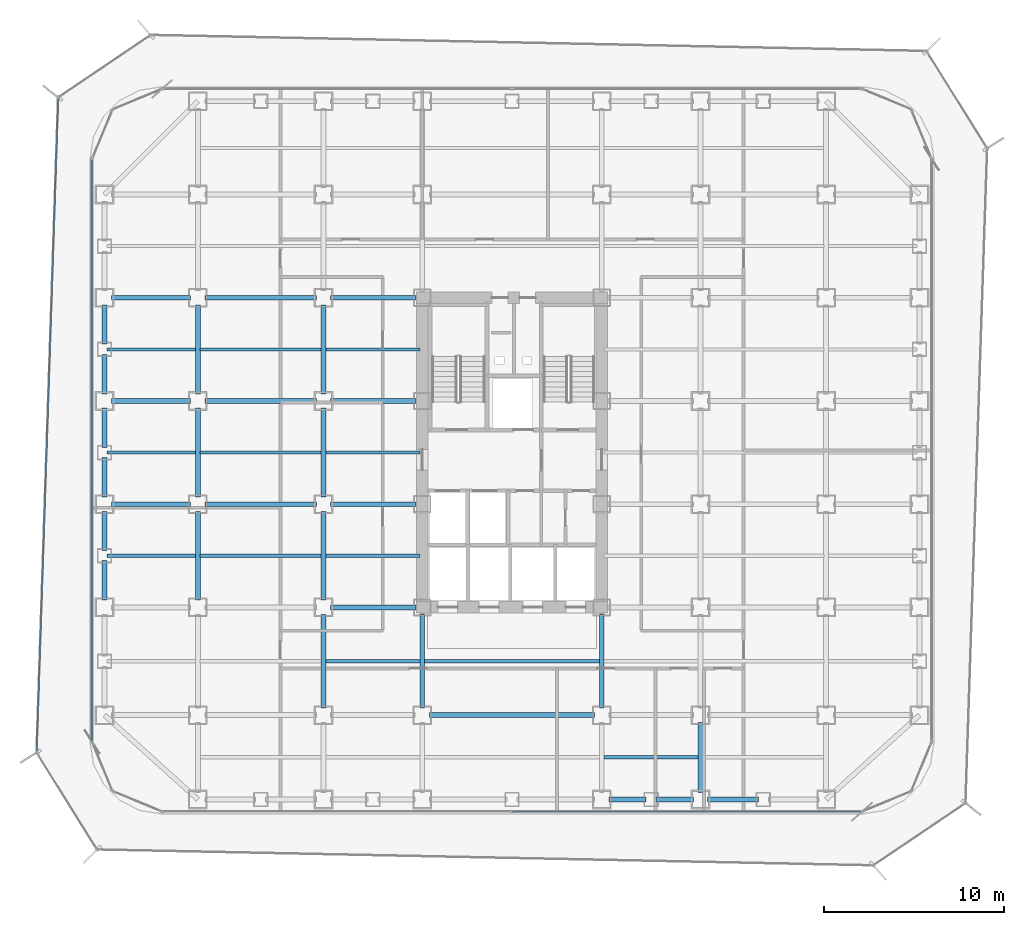
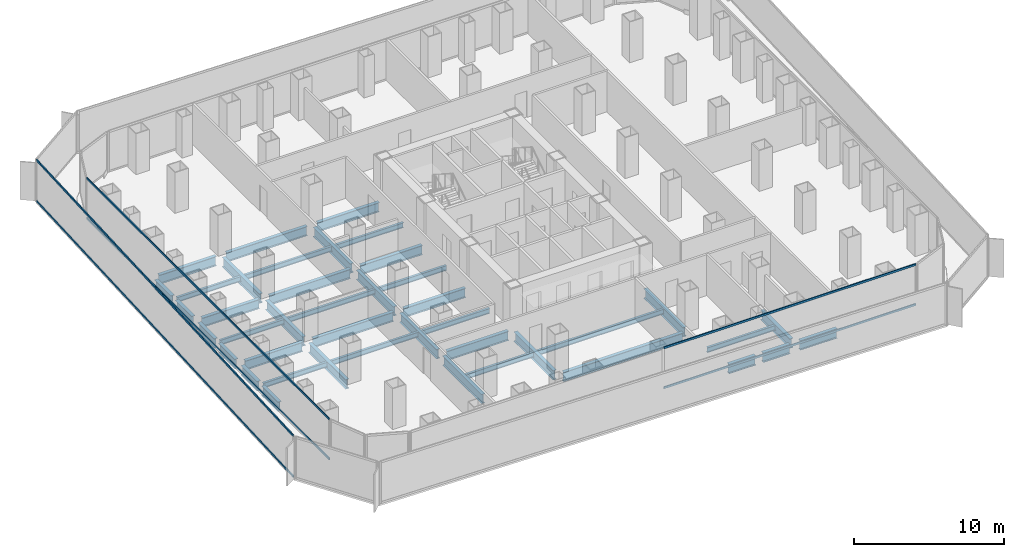
# One storey, part 5 of 21: 42 beams, 6 members, 3 elements without a shape of their own.
"""IFC4 building model written with IfcOpenShell, lengths in metres."""

from ifc_helpers import new_model, si_unit, direction, frame, origin, origin_2d, place, context, subcontext, project, spatial, hollow_rectangle, i_section, extrude, source, transform, mapped, material, layer, layer_set, material_profile, profile_set, type_object, element, aggregate, save


model = new_model("IFC4")

# Units and contexts
model_context = context("Model", 3, precision=1e-05, world=origin(), true_north=direction((0.0, 1.0)))
body_context = subcontext(model_context, "Body", "Model", "MODEL_VIEW")
ifc_project = project(units=[si_unit("LENGTHUNIT", "METRE"), si_unit("AREAUNIT", "SQUARE_METRE"), si_unit("VOLUMEUNIT", "CUBIC_METRE"), si_unit("PLANEANGLEUNIT", "RADIAN"), si_unit("MASSUNIT", "GRAM", prefix="KILO")], contexts=[model_context])

# Site, building, storey
site_placement = place(None, origin())
site = spatial("IfcSite", under=ifc_project, at=site_placement, CompositionType="ELEMENT")
building_placement = place(site_placement, origin())
building = spatial("IfcBuilding", under=site, at=building_placement, Name="Kolveth Station Tower", CompositionType="ELEMENT")
storey_placement = place(building_placement, frame((0.0, 0.0, 47.699951171875)))
storey = spatial("IfcBuildingStorey", under=building, at=storey_placement, Name="L12", CompositionType="ELEMENT", Elevation=47.699951171875)

# Beams
ifc_material_1 = material(Name="Steel S355", Category="steel")
ifc_material_profile_1 = material_profile(ifc_material_1, i_section(OverallWidth=0.26904296875, OverallDepth=0.77490234375, WebThickness=0.01708984375, FlangeThickness=0.0283203125, at=origin_2d()), Name="W760x220")
ifc_profile_set_1 = profile_set([ifc_material_profile_1], Name="Steel S355")
beam_type_1 = type_object("IfcBeamType", Name="Beam_SP1", PredefinedType="SPANDREL", material=ifc_profile_set_1)
shared_shape_1 = source(origin(), body_context, "Body", "SweptSolid", [
    extrude(i_section(OverallWidth=0.26904296875, OverallDepth=0.77490234375, WebThickness=0.01708984375, FlangeThickness=0.0283203125, at=origin_2d()), origin(), (0.0, 0.0, 1.0), 2.820068359375),
])
beam_1_placement = place(storey_placement, frame((34.39990234375, 0.800048828125, -0.66748046875), z_axis=(1.0, 0.0, 0.0), x_axis=(0.0, 1.0, 0.0)))
element("IfcBeam", 1, at=beam_1_placement, inside=storey, type_object=beam_type_1, Name="L12 Perimeter Spandrel BM-L12-PS-9", PredefinedType="SPANDREL", context=body_context, shape_type="MappedRepresentation", body=[
    mapped(shared_shape_1, transform((0.0, 0.0, 0.0), x_axis=(1.0, 0.0, 0.0), y_axis=(0.0, 1.0, 0.0), z_axis=(0.0, 0.0, 1.0), scale=1.0)),
])
shared_shape_2 = source(origin(), body_context, "Body", "SweptSolid", [
    extrude(i_section(OverallWidth=0.26904296875, OverallDepth=0.77490234375, WebThickness=0.01708984375, FlangeThickness=0.0283203125, at=origin_2d()), origin(), (0.0, 0.0, 1.0), 2.070068359375),
])
for number, where, z_axis, x_axis, name in (
    (2, (28.89990234375, 0.800048828125, -0.66748046875), (1.0, 0.0, 0.0), (0.0, 1.0, 0.0), "L12 Perimeter Spandrel BM-L12-PS-7"),
    (3, (31.530029296875, 0.800048828125, -0.66748046875), (1.0, 0.0, 0.0), (0.0, 1.0, 0.0), "L12 Perimeter Spandrel BM-L12-PS-8"),
):
    element("IfcBeam", number, at=place(storey_placement, frame(where, z_axis=z_axis, x_axis=x_axis)), inside=storey, type_object=beam_type_1, Name=name, PredefinedType="SPANDREL", context=body_context, shape_type="MappedRepresentation", body=[
        mapped(shared_shape_2, transform((0.0, 0.0, 0.0), x_axis=(1.0, 0.0, 0.0), y_axis=(0.0, 1.0, 0.0), z_axis=(0.0, 0.0, 1.0), scale=1.0)),
    ])
shared_shape_3 = source(origin(), body_context, "Body", "SweptSolid", [
    extrude(i_section(OverallWidth=0.26904296875, OverallDepth=0.77490234375, WebThickness=0.01708984375, FlangeThickness=0.0283203125, at=origin_2d()), origin(), (0.0, 0.0, 1.0), 2.2001953125),
])
for number, where, z_axis, x_axis, name in (
    (4, (0.800048828125, 11.89990234375, -0.66748046875), (0.0, 1.0, 0.0), (-1.0, 0.0, 0.0), "L12 Perimeter Spandrel BM-L12-PW-3"),
    (5, (0.800048828125, 20.39990234375, -0.66748046875), (0.0, 1.0, 0.0), (-1.0, 0.0, 0.0), "L12 Perimeter Spandrel BM-L12-PW-6"),
    (6, (0.800048828125, 23.39990234375, -0.66748046875), (0.0, 1.0, 0.0), (-1.0, 0.0, 0.0), "L12 Perimeter Spandrel BM-L12-PW-7"),
):
    element("IfcBeam", number, at=place(storey_placement, frame(where, z_axis=z_axis, x_axis=x_axis)), inside=storey, type_object=beam_type_1, Name=name, PredefinedType="SPANDREL", context=body_context, shape_type="MappedRepresentation", body=[
        mapped(shared_shape_3, transform((0.0, 0.0, 0.0), x_axis=(1.0, 0.0, 0.0), y_axis=(0.0, 1.0, 0.0), z_axis=(0.0, 0.0, 1.0), scale=1.0)),
    ])
shared_shape_4 = source(origin(), body_context, "Body", "SweptSolid", [
    extrude(i_section(OverallWidth=0.26904296875, OverallDepth=0.77490234375, WebThickness=0.01708984375, FlangeThickness=0.0283203125, at=origin_2d()), origin(), (0.0, 0.0, 1.0), 2.190185546875),
])
for number, where, z_axis, x_axis, name in (
    (7, (0.800048828125, 14.659912109375, -0.66748046875), (0.0, 1.0, 0.0), (-1.0, 0.0, 0.0), "L12 Perimeter Spandrel BM-L12-PW-4"),
    (8, (0.800048828125, 17.64990234375, -0.66748046875), (0.0, 1.0, 0.0), (-1.0, 0.0, 0.0), "L12 Perimeter Spandrel BM-L12-PW-5"),
    (9, (0.800048828125, 26.159912109375, -0.66748046875), (0.0, 1.0, 0.0), (-1.0, 0.0, 0.0), "L12 Perimeter Spandrel BM-L12-PW-8"),
):
    element("IfcBeam", number, at=place(storey_placement, frame(where, z_axis=z_axis, x_axis=x_axis)), inside=storey, type_object=beam_type_1, Name=name, PredefinedType="SPANDREL", context=body_context, shape_type="MappedRepresentation", body=[
        mapped(shared_shape_4, transform((0.0, 0.0, 0.0), x_axis=(1.0, 0.0, 0.0), y_axis=(0.0, 1.0, 0.0), z_axis=(0.0, 0.0, 1.0), scale=1.0)),
    ])
ifc_material_profile_2 = material_profile(ifc_material_1, i_section(OverallWidth=0.26708984375, OverallDepth=0.76611328125, WebThickness=0.014892578125, FlangeThickness=0.023681640625, at=origin_2d()), Name="W760x185")
ifc_profile_set_2 = profile_set([ifc_material_profile_2], Name="Steel S355")
beam_type_2 = type_object("IfcBeamType", Name="Beam_B3", PredefinedType="BEAM", material=ifc_profile_set_2)
shared_shape_5 = source(origin(), body_context, "Body", "SweptSolid", [
    extrude(i_section(OverallWidth=0.26708984375, OverallDepth=0.76611328125, WebThickness=0.014892578125, FlangeThickness=0.023681640625, at=origin_2d()), origin(), (0.0, 0.0, 1.0), 4.400146484375),
])
for number, where, z_axis, x_axis, name in (
    (10, (1.199951171875, 17.25, -0.662841796875), (1.0, 0.0, 0.0), (0.0, 1.0, 0.0), "L12 Primary Girder BM-L12-GY172-1"),
    (11, (1.199951171875, 23.0, -0.662841796875), (1.0, 0.0, 0.0), (0.0, 1.0, 0.0), "L12 Primary Girder BM-L12-GY230-1"),
    (12, (1.199951171875, 28.75, -0.662841796875), (1.0, 0.0, 0.0), (0.0, 1.0, 0.0), "L12 Primary Girder BM-L12-GY287-1"),
):
    element("IfcBeam", number, at=place(storey_placement, frame(where, z_axis=z_axis, x_axis=x_axis)), inside=storey, type_object=beam_type_2, Name=name, PredefinedType="BEAM", context=body_context, shape_type="MappedRepresentation", body=[
        mapped(shared_shape_5, transform((0.0, 0.0, 0.0), x_axis=(1.0, 0.0, 0.0), y_axis=(0.0, 1.0, 0.0), z_axis=(0.0, 0.0, 1.0), scale=1.0)),
    ])
shared_shape_6 = source(origin(), body_context, "Body", "SweptSolid", [
    extrude(i_section(OverallWidth=0.26708984375, OverallDepth=0.76611328125, WebThickness=0.014892578125, FlangeThickness=0.023681640625, at=origin_2d()), origin(), (0.0, 0.0, 1.0), 6.2001953125),
])
for number, where, z_axis, x_axis, name in (
    (13, (6.39990234375, 17.25, -0.662841796875), (1.0, 0.0, 0.0), (0.0, 1.0, 0.0), "L12 Primary Girder BM-L12-GY172-2"),
    (14, (6.39990234375, 23.0, -0.662841796875), (1.0, 0.0, 0.0), (0.0, 1.0, 0.0), "L12 Primary Girder BM-L12-GY230-2"),
    (15, (6.39990234375, 28.75, -0.662841796875), (1.0, 0.0, 0.0), (0.0, 1.0, 0.0), "L12 Primary Girder BM-L12-GY287-2"),
):
    element("IfcBeam", number, at=place(storey_placement, frame(where, z_axis=z_axis, x_axis=x_axis)), inside=storey, type_object=beam_type_2, Name=name, PredefinedType="BEAM", context=body_context, shape_type="MappedRepresentation", body=[
        mapped(shared_shape_6, transform((0.0, 0.0, 0.0), x_axis=(1.0, 0.0, 0.0), y_axis=(0.0, 1.0, 0.0), z_axis=(0.0, 0.0, 1.0), scale=1.0)),
    ])
shared_shape_7 = source(origin(), body_context, "Body", "SweptSolid", [
    extrude(i_section(OverallWidth=0.26708984375, OverallDepth=0.76611328125, WebThickness=0.014892578125, FlangeThickness=0.023681640625, at=origin_2d()), origin(), (0.0, 0.0, 1.0), 9.2001953125),
])
beam_2_placement = place(storey_placement, frame((18.89990234375, 5.5, -0.662841796875), z_axis=(1.0, 0.0, 0.0), x_axis=(0.0, 1.0, 0.0)))
element("IfcBeam", 16, at=beam_2_placement, inside=storey, type_object=beam_type_2, Name="L12 Primary Girder BM-L12-GY55-4", PredefinedType="BEAM", context=body_context, shape_type="MappedRepresentation", body=[
    mapped(shared_shape_7, transform((0.0, 0.0, 0.0), x_axis=(1.0, 0.0, 0.0), y_axis=(0.0, 1.0, 0.0), z_axis=(0.0, 0.0, 1.0), scale=1.0)),
])
shared_shape_8 = source(origin(), body_context, "Body", "SweptSolid", [
    extrude(i_section(OverallWidth=0.26708984375, OverallDepth=0.76611328125, WebThickness=0.014892578125, FlangeThickness=0.023681640625, at=origin_2d()), origin(), (0.0, 0.0, 1.0), 4.739990234375),
])
for number, where, z_axis, x_axis, name in (
    (17, (13.39990234375, 11.5, -0.662841796875), (1.0, 0.0, 0.0), (0.0, 1.0, 0.0), "L12 Primary Girder BM-L12-GY115-3"),
    (18, (13.39990234375, 17.25, -0.662841796875), (1.0, 0.0, 0.0), (0.0, 1.0, 0.0), "L12 Primary Girder BM-L12-GY172-3"),
    (19, (13.39990234375, 23.0, -0.662841796875), (1.0, 0.0, 0.0), (0.0, 1.0, 0.0), "L12 Primary Girder BM-L12-GY230-3"),
    (20, (13.39990234375, 28.75, -0.662841796875), (1.0, 0.0, 0.0), (0.0, 1.0, 0.0), "L12 Primary Girder BM-L12-GY287-3"),
):
    element("IfcBeam", number, at=place(storey_placement, frame(where, z_axis=z_axis, x_axis=x_axis)), inside=storey, type_object=beam_type_2, Name=name, PredefinedType="BEAM", context=body_context, shape_type="MappedRepresentation", body=[
        mapped(shared_shape_8, transform((0.0, 0.0, 0.0), x_axis=(1.0, 0.0, 0.0), y_axis=(0.0, 1.0, 0.0), z_axis=(0.0, 0.0, 1.0), scale=1.0)),
    ])
shared_shape_9 = source(origin(), body_context, "Body", "SweptSolid", [
    extrude(i_section(OverallWidth=0.26708984375, OverallDepth=0.76611328125, WebThickness=0.014892578125, FlangeThickness=0.023681640625, at=origin_2d()), origin(), (0.0, 0.0, 1.0), 3.900146484375),
])
beam_3_placement = place(storey_placement, frame((34.0, 1.199951171875, -0.662841796875), z_axis=(0.0, 1.0, 0.0), x_axis=(-1.0, 0.0, 0.0)))
element("IfcBeam", 21, at=beam_3_placement, inside=storey, type_object=beam_type_2, Name="L12 Primary Girder BM-L12-GX340-1", PredefinedType="BEAM", context=body_context, shape_type="MappedRepresentation", body=[
    mapped(shared_shape_9, transform((0.0, 0.0, 0.0), x_axis=(1.0, 0.0, 0.0), y_axis=(0.0, 1.0, 0.0), z_axis=(0.0, 0.0, 1.0), scale=1.0)),
])
shared_shape_10 = source(origin(), body_context, "Body", "SweptSolid", [
    extrude(i_section(OverallWidth=0.26708984375, OverallDepth=0.76611328125, WebThickness=0.014892578125, FlangeThickness=0.023681640625, at=origin_2d()), origin(), (0.0, 0.0, 1.0), 5.2001953125),
])
beam_4_placement = place(storey_placement, frame((13.0, 5.89990234375, -0.662841796875), z_axis=(0.0, 1.0, 0.0), x_axis=(-1.0, 0.0, 0.0)))
element("IfcBeam", 22, at=beam_4_placement, inside=storey, type_object=beam_type_2, Name="L12 Primary Girder BM-L12-GX130-2", PredefinedType="BEAM", context=body_context, shape_type="MappedRepresentation", body=[
    mapped(shared_shape_10, transform((0.0, 0.0, 0.0), x_axis=(1.0, 0.0, 0.0), y_axis=(0.0, 1.0, 0.0), z_axis=(0.0, 0.0, 1.0), scale=1.0)),
])
shared_shape_11 = source(origin(), body_context, "Body", "SweptSolid", [
    extrude(i_section(OverallWidth=0.26708984375, OverallDepth=0.76611328125, WebThickness=0.014892578125, FlangeThickness=0.023681640625, at=origin_2d()), origin(), (0.0, 0.0, 1.0), 4.9501953125),
])
for number, where, z_axis, x_axis, name in (
    (23, (6.0, 11.89990234375, -0.662841796875), (0.0, 1.0, 0.0), (-1.0, 0.0, 0.0), "L12 Primary Girder BM-L12-GX60-3"),
    (24, (6.0, 17.64990234375, -0.662841796875), (0.0, 1.0, 0.0), (-1.0, 0.0, 0.0), "L12 Primary Girder BM-L12-GX60-4"),
    (25, (6.0, 23.39990234375, -0.662841796875), (0.0, 1.0, 0.0), (-1.0, 0.0, 0.0), "L12 Primary Girder BM-L12-GX60-5"),
    (26, (13.0, 11.89990234375, -0.662841796875), (0.0, 1.0, 0.0), (-1.0, 0.0, 0.0), "L12 Primary Girder BM-L12-GX130-3"),
    (27, (13.0, 17.64990234375, -0.662841796875), (0.0, 1.0, 0.0), (-1.0, 0.0, 0.0), "L12 Primary Girder BM-L12-GX130-4"),
    (28, (13.0, 23.39990234375, -0.662841796875), (0.0, 1.0, 0.0), (-1.0, 0.0, 0.0), "L12 Primary Girder BM-L12-GX130-5"),
):
    element("IfcBeam", number, at=place(storey_placement, frame(where, z_axis=z_axis, x_axis=x_axis)), inside=storey, type_object=beam_type_2, Name=name, PredefinedType="BEAM", context=body_context, shape_type="MappedRepresentation", body=[
        mapped(shared_shape_11, transform((0.0, 0.0, 0.0), x_axis=(1.0, 0.0, 0.0), y_axis=(0.0, 1.0, 0.0), z_axis=(0.0, 0.0, 1.0), scale=1.0)),
    ])
shared_shape_12 = source(origin(), body_context, "Body", "SweptSolid", [
    extrude(i_section(OverallWidth=0.26708984375, OverallDepth=0.76611328125, WebThickness=0.014892578125, FlangeThickness=0.023681640625, at=origin_2d()), origin(), (0.0, 0.0, 1.0), 5.239990234375),
])
for number, where, z_axis, x_axis, name in (
    (29, (18.5, 5.89990234375, -0.662841796875), (0.0, 1.0, 0.0), (-1.0, 0.0, 0.0), "L12 Primary Girder BM-L12-GX185-2"),
    (30, (28.5, 5.89990234375, -0.662841796875), (0.0, 1.0, 0.0), (-1.0, 0.0, 0.0), "L12 Primary Girder BM-L12-GX285-2"),
):
    element("IfcBeam", number, at=place(storey_placement, frame(where, z_axis=z_axis, x_axis=x_axis)), inside=storey, type_object=beam_type_2, Name=name, PredefinedType="BEAM", context=body_context, shape_type="MappedRepresentation", body=[
        mapped(shared_shape_12, transform((0.0, 0.0, 0.0), x_axis=(1.0, 0.0, 0.0), y_axis=(0.0, 1.0, 0.0), z_axis=(0.0, 0.0, 1.0), scale=1.0)),
    ])
ifc_material_profile_3 = material_profile(ifc_material_1, i_section(OverallWidth=0.177978515625, OverallDepth=0.406982421875, WebThickness=0.0078125, FlangeThickness=0.0126953125, at=origin_2d()), Name="W410x60")
ifc_profile_set_3 = profile_set([ifc_material_profile_3], Name="Steel S355")
beam_type_3 = type_object("IfcBeamType", Name="Beam_J1", PredefinedType="JOIST", material=ifc_profile_set_3)
shared_shape_13 = source(origin(), body_context, "Body", "SweptSolid", [
    extrude(i_section(OverallWidth=0.177978515625, OverallDepth=0.406982421875, WebThickness=0.0078125, FlangeThickness=0.0126953125, at=origin_2d()), origin(), (0.0, 0.0, 1.0), 4.935791015625),
])
for number, where, z_axis, x_axis, name in (
    (31, (0.9326171875, 14.375, -0.4833984375), (1.0, 0.0, 0.0), (0.0, 1.0, 0.0), "L12 Secondary Joist JST-L12-1-3"),
    (32, (0.9326171875, 20.125, -0.4833984375), (1.0, 0.0, 0.0), (0.0, 1.0, 0.0), "L12 Secondary Joist JST-L12-1-4"),
    (33, (0.9326171875, 25.875, -0.4833984375), (1.0, 0.0, 0.0), (0.0, 1.0, 0.0), "L12 Secondary Joist JST-L12-1-5"),
):
    element("IfcBeam", number, at=place(storey_placement, frame(where, z_axis=z_axis, x_axis=x_axis)), inside=storey, type_object=beam_type_3, Name=name, PredefinedType="JOIST", context=body_context, shape_type="MappedRepresentation", body=[
        mapped(shared_shape_13, transform((0.0, 0.0, 0.0), x_axis=(1.0, 0.0, 0.0), y_axis=(0.0, 1.0, 0.0), z_axis=(0.0, 0.0, 1.0), scale=1.0)),
    ])
shared_shape_14 = source(origin(), body_context, "Body", "SweptSolid", [
    extrude(i_section(OverallWidth=0.177978515625, OverallDepth=0.406982421875, WebThickness=0.0078125, FlangeThickness=0.0126953125, at=origin_2d()), origin(), (0.0, 0.0, 1.0), 6.73681640625),
])
for number, where, z_axis, x_axis, name in (
    (34, (6.131591796875, 14.375, -0.4833984375), (1.0, 0.0, 0.0), (0.0, 1.0, 0.0), "L12 Secondary Joist JST-L12-2-3"),
    (35, (6.131591796875, 20.125, -0.4833984375), (1.0, 0.0, 0.0), (0.0, 1.0, 0.0), "L12 Secondary Joist JST-L12-2-4"),
    (36, (6.131591796875, 25.875, -0.4833984375), (1.0, 0.0, 0.0), (0.0, 1.0, 0.0), "L12 Secondary Joist JST-L12-2-5"),
):
    element("IfcBeam", number, at=place(storey_placement, frame(where, z_axis=z_axis, x_axis=x_axis)), inside=storey, type_object=beam_type_3, Name=name, PredefinedType="JOIST", context=body_context, shape_type="MappedRepresentation", body=[
        mapped(shared_shape_14, transform((0.0, 0.0, 0.0), x_axis=(1.0, 0.0, 0.0), y_axis=(0.0, 1.0, 0.0), z_axis=(0.0, 0.0, 1.0), scale=1.0)),
    ])
shared_shape_15 = source(origin(), body_context, "Body", "SweptSolid", [
    extrude(i_section(OverallWidth=0.177978515625, OverallDepth=0.406982421875, WebThickness=0.0078125, FlangeThickness=0.0126953125, at=origin_2d()), origin(), (0.0, 0.0, 1.0), 5.23681640625),
])
for number, where, z_axis, x_axis, name in (
    (37, (13.131591796875, 8.5, -0.4833984375), (1.0, 0.0, 0.0), (0.0, 1.0, 0.0), "L12 Secondary Joist JST-L12-3-2"),
    (38, (13.131591796875, 14.375, -0.4833984375), (1.0, 0.0, 0.0), (0.0, 1.0, 0.0), "L12 Secondary Joist JST-L12-3-3"),
    (39, (13.131591796875, 20.125, -0.4833984375), (1.0, 0.0, 0.0), (0.0, 1.0, 0.0), "L12 Secondary Joist JST-L12-3-4"),
    (40, (13.131591796875, 25.875, -0.4833984375), (1.0, 0.0, 0.0), (0.0, 1.0, 0.0), "L12 Secondary Joist JST-L12-3-5"),
    (41, (28.631591796875, 3.14990234375, -0.4833984375), (1.0, 0.0, 0.0), (0.0, 1.0, 0.0), "L12 Secondary Joist JST-L12-5-1"),
):
    element("IfcBeam", number, at=place(storey_placement, frame(where, z_axis=z_axis, x_axis=x_axis)), inside=storey, type_object=beam_type_3, Name=name, PredefinedType="JOIST", context=body_context, shape_type="MappedRepresentation", body=[
        mapped(shared_shape_15, transform((0.0, 0.0, 0.0), x_axis=(1.0, 0.0, 0.0), y_axis=(0.0, 1.0, 0.0), z_axis=(0.0, 0.0, 1.0), scale=1.0)),
    ])
shared_shape_16 = source(origin(), body_context, "Body", "SweptSolid", [
    extrude(i_section(OverallWidth=0.177978515625, OverallDepth=0.406982421875, WebThickness=0.0078125, FlangeThickness=0.0126953125, at=origin_2d()), origin(), (0.0, 0.0, 1.0), 9.73681640625),
])
beam_5_placement = place(storey_placement, frame((18.631591796875, 8.5, -0.4833984375), z_axis=(1.0, 0.0, 0.0), x_axis=(0.0, 1.0, 0.0)))
element("IfcBeam", 42, at=beam_5_placement, inside=storey, type_object=beam_type_3, Name="L12 Secondary Joist JST-L12-4-2", PredefinedType="JOIST", context=body_context, shape_type="MappedRepresentation", body=[
    mapped(shared_shape_16, transform((0.0, 0.0, 0.0), x_axis=(1.0, 0.0, 0.0), y_axis=(0.0, 1.0, 0.0), z_axis=(0.0, 0.0, 1.0), scale=1.0)),
])

# Curtain wall, members
ifc_material_2 = material(Name="Aluminium 6063-T6 and low-E dark glass", Category="aluminium")
ifc_layer_1 = layer(ifc_material_2, 0.179931640625)
ifc_layer_set_1 = layer_set([ifc_layer_1], Name="Aluminium 6063-T6 and low-E dark glass")
curtain_wall_type_1 = type_object("IfcCurtainWallType", Name="CurtainWall_CW-Z1", PredefinedType="NOTDEFINED", material=ifc_layer_set_1)
curtain_wall_1_placement = place(storey_placement, origin())
curtain_wall_1 = element("IfcCurtainWall", 43, at=curtain_wall_1_placement, inside=storey, type_object=curtain_wall_type_1, Name="L12 Inner Thermal Curtain Wall 9", PredefinedType="NOTDEFINED")
ifc_material_3 = material(Name="Black anodized aluminium 6063-T6", Category="aluminium")
ifc_material_profile_4 = material_profile(ifc_material_3, hollow_rectangle(XDim=0.074951171875, YDim=0.159912109375, WallThickness=0.0048828125, at=origin_2d()), Name="ALU-75x160x5")
ifc_profile_set_4 = profile_set([ifc_material_profile_4], Name="Black anodized aluminium 6063-T6")
member_type_1 = type_object("IfcMemberType", Name="Transom_TR1", PredefinedType="USERDEFINED", material=ifc_profile_set_4)
shared_shape_17 = source(origin(), body_context, "Body", "SweptSolid", [
    extrude(hollow_rectangle(XDim=0.074951171875, YDim=0.159912109375, WallThickness=0.0048828125, at=origin_2d()), origin(), (0.0, 0.0, 1.0), 32.35009765625),
])
member_1_placement = place(storey_placement, frame((0.1201171875, 36.425048828125, 0.03759765625), z_axis=(0.0, -1.0, 0.0), x_axis=(1.0, 0.0, 0.0)))
member_1 = element("IfcMember", 44, at=member_1_placement, type_object=member_type_1, Name="CW-Z1 transom 1.1", ObjectType="TRANSOM", PredefinedType="USERDEFINED", context=body_context, shape_type="MappedRepresentation", body=[
    mapped(shared_shape_17, transform((0.0, 0.0, 0.0), x_axis=(1.0, 0.0, 0.0), y_axis=(0.0, 1.0, 0.0), z_axis=(0.0, 0.0, 1.0), scale=1.0)),
])
member_2_placement = place(storey_placement, frame((0.1201171875, 36.425048828125, 3.282470703125), z_axis=(0.0, -1.0, 0.0), x_axis=(1.0, 0.0, 0.0)))
member_2 = element("IfcMember", 45, at=member_2_placement, type_object=member_type_1, Name="CW-Z1 transom 1.2", ObjectType="TRANSOM", PredefinedType="USERDEFINED", context=body_context, shape_type="MappedRepresentation", body=[
    mapped(shared_shape_17, transform((0.0, 0.0, 0.0), x_axis=(1.0, 0.0, 0.0), y_axis=(0.0, 1.0, 0.0), z_axis=(0.0, 0.0, 1.0), scale=1.0)),
])
aggregate(curtain_wall_1, [member_1, member_2])

curtain_wall_2_placement = place(storey_placement, origin())
curtain_wall_2 = element("IfcCurtainWall", 46, at=curtain_wall_2_placement, inside=storey, type_object=curtain_wall_type_1, Name="L12 Inner Thermal Curtain Wall 12", PredefinedType="NOTDEFINED")
shared_shape_18 = source(origin(), body_context, "Body", "SweptSolid", [
    extrude(hollow_rectangle(XDim=0.074951171875, YDim=0.159912109375, WallThickness=0.0048828125, at=origin_2d()), origin(), (0.0, 0.0, 1.0), 19.387451171875),
])
member_3_placement = place(storey_placement, frame((23.53759765625, 0.1201171875, 0.03759765625), z_axis=(1.0, 0.0, 0.0), x_axis=(0.0, 1.0, 0.0)))
member_3 = element("IfcMember", 47, at=member_3_placement, type_object=member_type_1, Name="CW-Z1 transom 2.1", ObjectType="TRANSOM", PredefinedType="USERDEFINED", context=body_context, shape_type="MappedRepresentation", body=[
    mapped(shared_shape_18, transform((0.0, 0.0, 0.0), x_axis=(1.0, 0.0, 0.0), y_axis=(0.0, 1.0, 0.0), z_axis=(0.0, 0.0, 1.0), scale=1.0)),
])
member_4_placement = place(storey_placement, frame((23.53759765625, 0.1201171875, 3.282470703125), z_axis=(1.0, 0.0, 0.0), x_axis=(0.0, 1.0, 0.0)))
member_4 = element("IfcMember", 48, at=member_4_placement, type_object=member_type_1, Name="CW-Z1 transom 2.2", ObjectType="TRANSOM", PredefinedType="USERDEFINED", context=body_context, shape_type="MappedRepresentation", body=[
    mapped(shared_shape_18, transform((0.0, 0.0, 0.0), x_axis=(1.0, 0.0, 0.0), y_axis=(0.0, 1.0, 0.0), z_axis=(0.0, 0.0, 1.0), scale=1.0)),
])
aggregate(curtain_wall_2, [member_3, member_4])

ifc_material_4 = material(Name="Black anodized aluminium 6063-T6 and dark solar glass", Category="aluminium")
ifc_layer_2 = layer(ifc_material_4, 0.159912109375)
ifc_layer_set_2 = layer_set([ifc_layer_2], Name="Black anodized aluminium 6063-T6 and dark solar glass")
curtain_wall_type_2 = type_object("IfcCurtainWallType", Name="OUTER SKIN CW-OS", PredefinedType="NOTDEFINED", material=ifc_layer_set_2)
curtain_wall_3_placement = place(storey_placement, origin())
curtain_wall_3 = element("IfcCurtainWall", 49, at=curtain_wall_3_placement, inside=storey, type_object=curtain_wall_type_2, Name="L12 Outer Ventilated Skin Curtain Wall 6", PredefinedType="NOTDEFINED")
ifc_material_profile_5 = material_profile(ifc_material_3, hollow_rectangle(XDim=0.080078125, YDim=0.14990234375, WallThickness=0.0048828125, at=origin_2d()), Name="ALU-80x150x5")
ifc_profile_set_5 = profile_set([ifc_material_profile_5], Name="Black anodized aluminium 6063-T6")
member_type_2 = type_object("IfcMemberType", Name="Transom_TR-OS", PredefinedType="USERDEFINED", material=ifc_profile_set_5)
shared_shape_19 = source(origin(), body_context, "Body", "SweptSolid", [
    extrude(hollow_rectangle(XDim=0.080078125, YDim=0.14990234375, WallThickness=0.0048828125, at=origin_2d()), origin(), (0.0, 0.0, 1.0), 36.328369140625),
])
member_5_placement = place(storey_placement, frame((-1.77783203125, 39.815185546875, 0.0400390625), z_axis=(-0.032936665664, -0.999457440842, 0.0), x_axis=(0.999457440842, -0.032936665664, 0.0)))
member_5 = element("IfcMember", 50, at=member_5_placement, type_object=member_type_2, Name="CW-OS transom 1.1", ObjectType="TRANSOM", PredefinedType="USERDEFINED", context=body_context, shape_type="MappedRepresentation", body=[
    mapped(shared_shape_19, transform((0.0, 0.0, 0.0), x_axis=(1.0, 0.0, 0.0), y_axis=(0.0, 1.0, 0.0), z_axis=(0.0, 0.0, 1.0), scale=1.0)),
])
member_6_placement = place(storey_placement, frame((-1.77783203125, 39.815185546875, 3.35009765625), z_axis=(-0.032936665664, -0.999457440842, 0.0), x_axis=(0.999457440842, -0.032936665664, 0.0)))
member_6 = element("IfcMember", 51, at=member_6_placement, type_object=member_type_2, Name="CW-OS transom 1.2", ObjectType="TRANSOM", PredefinedType="USERDEFINED", context=body_context, shape_type="MappedRepresentation", body=[
    mapped(shared_shape_19, transform((0.0, 0.0, 0.0), x_axis=(1.0, 0.0, 0.0), y_axis=(0.0, 1.0, 0.0), z_axis=(0.0, 0.0, 1.0), scale=1.0)),
])
aggregate(curtain_wall_3, [member_5, member_6])

save(model, "model.ifc")
